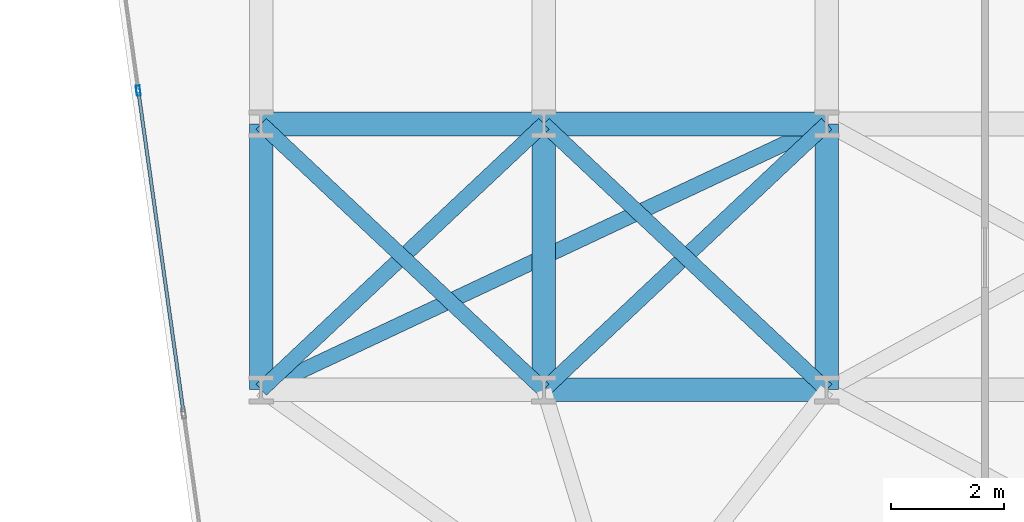
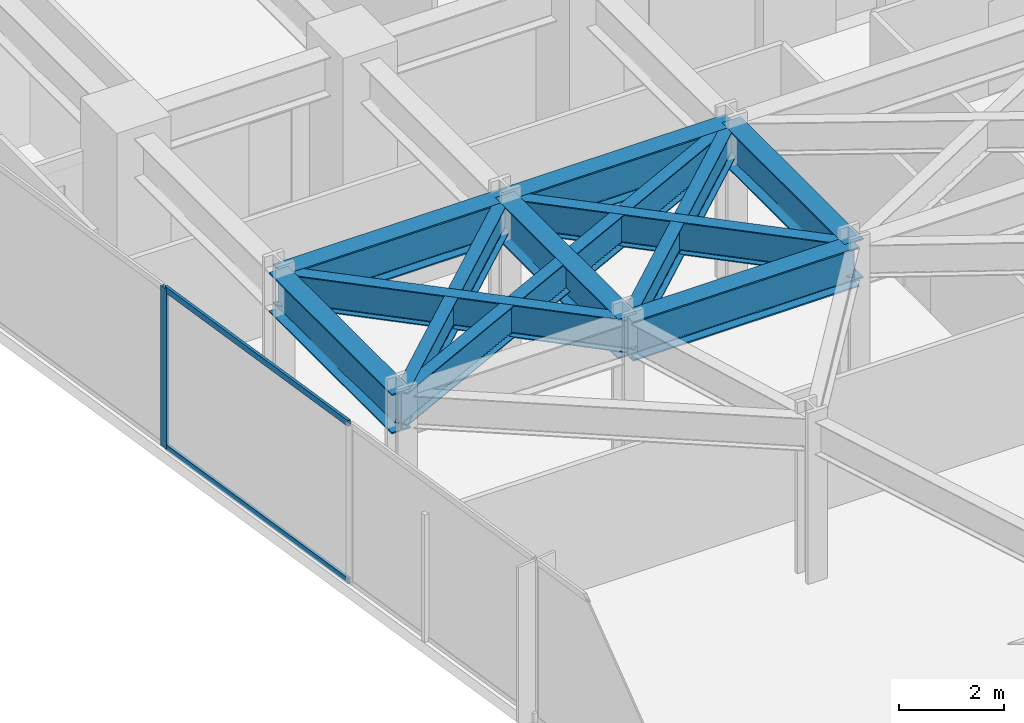
# One storey, part 8 of 25: 11 beams, 3 members, 1 element without a shape of its own.
"""IFC4 building model written with IfcOpenShell, lengths in metres."""

from ifc_helpers import new_model, si_unit, direction, frame, origin, origin_2d, place, context, subcontext, project, spatial, hollow_rectangle, i_section, extrude, material, layer, layer_set, material_profile, profile_set, type_object, element, aggregate, save


model = new_model("IFC4")

# Units and contexts
model_context = context("Model", 3, precision=1e-05, world=origin(), true_north=direction((0.0, 1.0)))
body_context = subcontext(model_context, "Body", "Model", "MODEL_VIEW")
ifc_project = project(units=[si_unit("LENGTHUNIT", "METRE"), si_unit("AREAUNIT", "SQUARE_METRE"), si_unit("VOLUMEUNIT", "CUBIC_METRE"), si_unit("PLANEANGLEUNIT", "RADIAN"), si_unit("MASSUNIT", "GRAM", prefix="KILO")], contexts=[model_context])

# Site, building, storey
site_placement = place(None, origin())
site = spatial("IfcSite", under=ifc_project, at=site_placement, CompositionType="ELEMENT")
building_placement = place(site_placement, origin())
building = spatial("IfcBuilding", under=site, at=building_placement, Name="Kravanh Interchange Tower", CompositionType="ELEMENT")
storey_placement = place(building_placement, frame((0.0, 0.0, 73.5)))
storey = spatial("IfcBuildingStorey", under=building, at=storey_placement, Name="L17", CompositionType="ELEMENT", Elevation=73.5)

# Curtain wall, members
ifc_material_1 = material(Name="Anodised Bronze Aluminium", Category="aluminium")
ifc_layer = layer(ifc_material_1, 0.179931640625)
ifc_layer_set = layer_set([ifc_layer], Name="Unitised Curtain Wall System CW-Z1 Lower Office")
curtain_wall_type = type_object("IfcCurtainWallType", Name="Unitised Curtain Wall System CW-Z1 Lower Office", PredefinedType="NOTDEFINED", material=ifc_layer_set)
curtain_wall_placement = place(storey_placement, origin())
curtain_wall = element("IfcCurtainWall", 1, at=curtain_wall_placement, inside=storey, type_object=curtain_wall_type, Name="L17 Unitised Curtain Wall CW-L17-01", PredefinedType="NOTDEFINED")
ifc_material_2 = material(Name="Anodised Bronze Aluminium", Category="aluminium")
ifc_material_profile_1 = material_profile(ifc_material_2, hollow_rectangle(XDim=0.070068359375, YDim=0.179931640625, WallThickness=0.00390625, at=origin_2d()), Name="ALU70X180X4")
ifc_profile_set_1 = profile_set([ifc_material_profile_1], Name="Anodised Bronze Aluminium")
member_type_1 = type_object("IfcMemberType", Name="Curtain Wall Mullion ALU70X180X4 Bronze", PredefinedType="MULLION", material=ifc_profile_set_1)
member_1_placement = place(storey_placement, frame((6.427490234375, 32.08935546875, 0.0), z_axis=(0.0, 0.0, 1.0), x_axis=(-0.990267585682, -0.139176538065, 0.0)))
member_1 = element("IfcMember", 2, at=member_1_placement, type_object=member_type_1, Name="CW-Z1 mullion 6", PredefinedType="MULLION", context=body_context, shape_type="SweptSolid", body=[
    extrude(hollow_rectangle(XDim=0.070068359375, YDim=0.179931640625, WallThickness=0.00390625, at=origin_2d()), origin(), (0.0, 0.0, 1.0), 3.739990234375),
])
ifc_material_3 = material(Name="Anodised Bronze Aluminium", Category="aluminium")
ifc_material_profile_2 = material_profile(ifc_material_3, hollow_rectangle(XDim=0.06005859375, YDim=0.139892578125, WallThickness=0.00390625, at=origin_2d()), Name="ALU60X140X4")
ifc_profile_set_2 = profile_set([ifc_material_profile_2], Name="Anodised Bronze Aluminium")
member_type_2 = type_object("IfcMemberType", Name="Curtain Wall Transom ALU60X140X4 Bronze", PredefinedType="USERDEFINED", material=ifc_profile_set_2)
member_2_placement = place(storey_placement, frame((7.22509765625, 26.41357421875, 0.030029296875), z_axis=(-0.139158957544, 0.990270056366, 0.0), x_axis=(-0.990270056366, -0.139158957544, 0.0)))
member_2 = element("IfcMember", 3, at=member_2_placement, type_object=member_type_2, Name="CW-Z1 transom 5.1", ObjectType="TRANSOM", PredefinedType="USERDEFINED", context=body_context, shape_type="SweptSolid", body=[
    extrude(hollow_rectangle(XDim=0.06005859375, YDim=0.139892578125, WallThickness=0.00390625, at=origin_2d()), origin(), (0.0, 0.0, 1.0), 5.696533203125),
])
member_3_placement = place(storey_placement, frame((7.22509765625, 26.41357421875, 3.7099609375), z_axis=(-0.139158957544, 0.990270056366, 0.0), x_axis=(-0.990270056366, -0.139158957544, 0.0)))
member_3 = element("IfcMember", 4, at=member_3_placement, type_object=member_type_2, Name="CW-Z1 transom 5.2", ObjectType="TRANSOM", PredefinedType="USERDEFINED", context=body_context, shape_type="SweptSolid", body=[
    extrude(hollow_rectangle(XDim=0.06005859375, YDim=0.139892578125, WallThickness=0.00390625, at=origin_2d()), origin(), (0.0, 0.0, 1.0), 5.696533203125),
])
aggregate(curtain_wall, [member_1, member_2, member_3])

# Beams
ifc_material_4 = material(Name="Structural Steel S355", Category="steel")
ifc_material_profile_3 = material_profile(ifc_material_4, i_section(OverallWidth=0.41796875, OverallDepth=0.927001953125, WebThickness=0.019287109375, FlangeThickness=0.031982421875, FilletRadius=0.028076171875, at=origin_2d()), Name="W36X231")
ifc_profile_set_3 = profile_set([ifc_material_profile_3], Name="Structural Steel S355")
beam_type_1 = type_object("IfcBeamType", Name="Floor Beam W36X231 Structural Steel S355", PredefinedType="BEAM", material=ifc_profile_set_3)
for number, where, z_axis, x_axis, name in (
    (5, (8.60009765625, 26.800048828125, 3.276611328125), (0.0, 1.0, 0.0), (-1.0, 0.0, 0.0), "L17 Primary Floor Girder 66"),
    (6, (13.60009765625, 26.800048828125, 3.276611328125), (0.0, 1.0, 0.0), (-1.0, 0.0, 0.0), "L17 Primary Floor Girder 70"),
):
    element("IfcBeam", number, at=place(storey_placement, frame(where, z_axis=z_axis, x_axis=x_axis)), inside=storey, type_object=beam_type_1, Name=name, PredefinedType="BEAM", context=body_context, shape_type="SweptSolid", body=[
        extrude(i_section(OverallWidth=0.41796875, OverallDepth=0.927001953125, WebThickness=0.019287109375, FlangeThickness=0.031982421875, FilletRadius=0.028076171875, at=origin_2d()), origin(), (0.0, 0.0, 1.0), 4.699951171875),
    ])
beam_1_placement = place(storey_placement, frame((13.60009765625, 26.800048828125, 3.276611328125), z_axis=(1.0, 0.0, 0.0), x_axis=(0.0, 1.0, 0.0)))
element("IfcBeam", 7, at=beam_1_placement, inside=storey, type_object=beam_type_1, Name="L17 Primary Floor Girder 71", PredefinedType="BEAM", context=body_context, shape_type="SweptSolid", body=[
    extrude(i_section(OverallWidth=0.41796875, OverallDepth=0.927001953125, WebThickness=0.019287109375, FlangeThickness=0.031982421875, FilletRadius=0.028076171875, at=origin_2d()), origin(), (0.0, 0.0, 1.0), 5.0),
])
beam_2_placement = place(storey_placement, frame((18.60009765625, 26.800048828125, 3.276611328125), z_axis=(0.0, 1.0, 0.0), x_axis=(-1.0, 0.0, 0.0)))
element("IfcBeam", 8, at=beam_2_placement, inside=storey, type_object=beam_type_1, Name="L17 Primary Floor Girder 74", PredefinedType="BEAM", context=body_context, shape_type="SweptSolid", body=[
    extrude(i_section(OverallWidth=0.41796875, OverallDepth=0.927001953125, WebThickness=0.019287109375, FlangeThickness=0.031982421875, FilletRadius=0.028076171875, at=origin_2d()), origin(), (0.0, 0.0, 1.0), 4.699951171875),
])
for number, where, z_axis, x_axis, name in (
    (9, (8.60009765625, 31.5, 3.276611328125), (1.0, 0.0, 0.0), (0.0, 1.0, 0.0), "L17 Primary Floor Girder 100"),
    (10, (13.60009765625, 31.5, 3.276611328125), (1.0, 0.0, 0.0), (0.0, 1.0, 0.0), "L17 Primary Floor Girder 101"),
):
    element("IfcBeam", number, at=place(storey_placement, frame(where, z_axis=z_axis, x_axis=x_axis)), inside=storey, type_object=beam_type_1, Name=name, PredefinedType="BEAM", context=body_context, shape_type="SweptSolid", body=[
        extrude(i_section(OverallWidth=0.41796875, OverallDepth=0.927001953125, WebThickness=0.019287109375, FlangeThickness=0.031982421875, FilletRadius=0.028076171875, at=origin_2d()), origin(), (0.0, 0.0, 1.0), 5.0),
    ])
ifc_material_5 = material(Name="Structural Steel S355", Category="steel")
ifc_material_profile_4 = material_profile(ifc_material_5, i_section(OverallWidth=0.26708984375, OverallDepth=0.761962890625, WebThickness=0.014404296875, FlangeThickness=0.021484375, FilletRadius=0.02490234375, at=origin_2d()), Name="W30X116")
ifc_profile_set_4 = profile_set([ifc_material_profile_4], Name="Structural Steel S355")
beam_type_2 = type_object("IfcBeamType", Name="Floor Spandrel W30X116 Structural Steel S355", PredefinedType="SPANDREL", material=ifc_profile_set_4)
beam_3_placement = place(storey_placement, frame((8.60009765625, 26.800048828125, 3.35888671875), z_axis=(0.728631219862, 0.684906231131, 0.0), x_axis=(-0.684906231131, 0.728631219862, 0.0)))
element("IfcBeam", 11, at=beam_3_placement, inside=storey, type_object=beam_type_2, Name="L17 Perimeter Spandrel 68", PredefinedType="SPANDREL", context=body_context, shape_type="SweptSolid", body=[
    extrude(i_section(OverallWidth=0.26708984375, OverallDepth=0.761962890625, WebThickness=0.014404296875, FlangeThickness=0.021484375, FilletRadius=0.02490234375, at=origin_2d()), origin(), (0.0, 0.0, 1.0), 6.862060546875),
])
beam_4_placement = place(storey_placement, frame((8.60009765625, 26.800048828125, 3.35888671875), z_axis=(0.905025402916, 0.425357520301, 0.0), x_axis=(-0.425357520301, 0.905025402916, 0.0)))
element("IfcBeam", 12, at=beam_4_placement, inside=storey, type_object=beam_type_2, Name="L17 Perimeter Spandrel 69", PredefinedType="SPANDREL", context=body_context, shape_type="SweptSolid", body=[
    extrude(i_section(OverallWidth=0.26708984375, OverallDepth=0.761962890625, WebThickness=0.014404296875, FlangeThickness=0.021484375, FilletRadius=0.02490234375, at=origin_2d()), origin(), (0.0, 0.0, 1.0), 11.04931640625),
])
for number, where, z_axis, x_axis, name in (
    (13, (13.60009765625, 26.800048828125, 3.35888671875), (-0.728631219862, 0.684906231131, 0.0), (-0.684906231131, -0.728631219862, 0.0), "L17 Perimeter Spandrel 72"),
    (14, (13.60009765625, 26.800048828125, 3.35888671875), (0.728631219862, 0.684906231131, 0.0), (-0.684906231131, 0.728631219862, 0.0), "L17 Perimeter Spandrel 73"),
    (15, (18.60009765625, 26.800048828125, 3.35888671875), (-0.728631219862, 0.684906231131, 0.0), (-0.684906231131, -0.728631219862, 0.0), "L17 Perimeter Spandrel 75"),
):
    element("IfcBeam", number, at=place(storey_placement, frame(where, z_axis=z_axis, x_axis=x_axis)), inside=storey, type_object=beam_type_2, Name=name, PredefinedType="SPANDREL", context=body_context, shape_type="SweptSolid", body=[
        extrude(i_section(OverallWidth=0.26708984375, OverallDepth=0.761962890625, WebThickness=0.014404296875, FlangeThickness=0.021484375, FilletRadius=0.02490234375, at=origin_2d()), origin(), (0.0, 0.0, 1.0), 6.862060546875),
    ])

save(model, "model.ifc")
